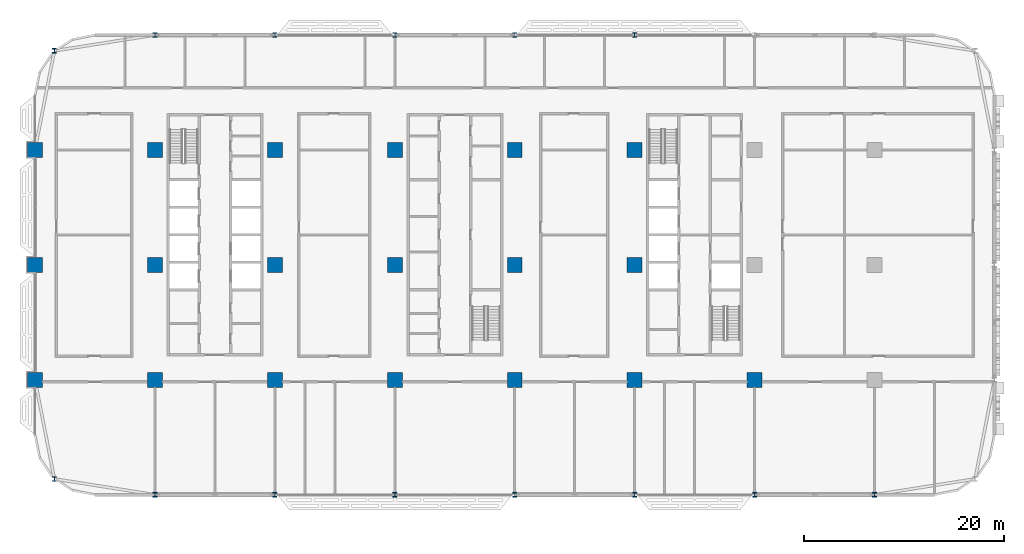
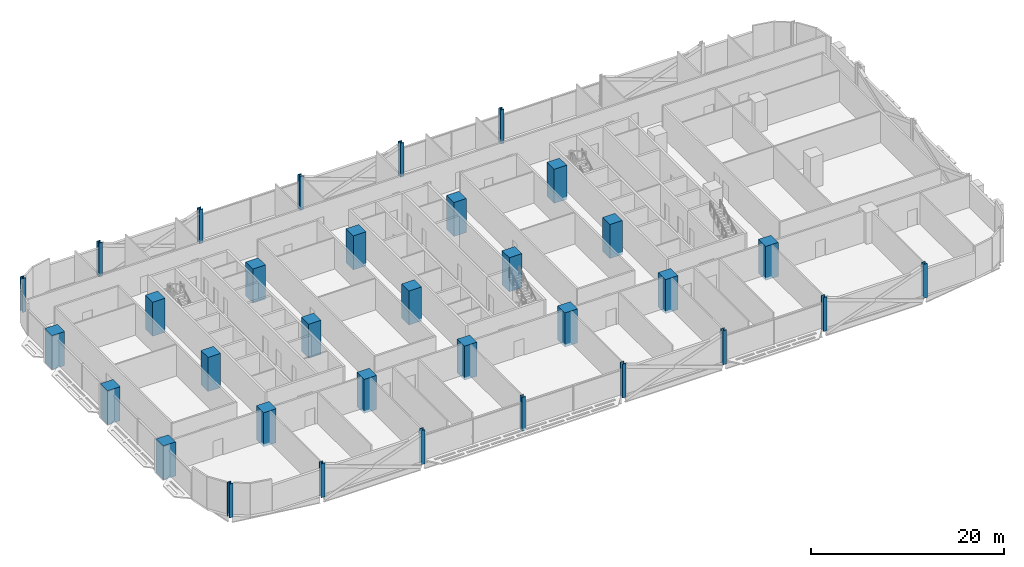
# One storey, part 1 of 30: 33 columns.
"""IFC4 building model written with IfcOpenShell, lengths in metres."""

from ifc_helpers import new_model, si_unit, direction, frame, origin, origin_2d, place, context, subcontext, project, spatial, rectangle, i_section, extrude, material, material_profile, profile_set, type_object, element, save


model = new_model("IFC4")

# Units and contexts
model_context = context("Model", 3, precision=1e-05, world=origin(), true_north=direction((0.0, 1.0)))
body_context = subcontext(model_context, "Body", "Model", "MODEL_VIEW")
ifc_project = project(units=[si_unit("LENGTHUNIT", "METRE"), si_unit("AREAUNIT", "SQUARE_METRE"), si_unit("VOLUMEUNIT", "CUBIC_METRE"), si_unit("PLANEANGLEUNIT", "RADIAN"), si_unit("MASSUNIT", "GRAM", prefix="KILO")], contexts=[model_context])

# Site, building, storey
site_placement = place(None, origin())
site = spatial("IfcSite", under=ifc_project, at=site_placement, CompositionType="ELEMENT")
building_placement = place(site_placement, origin())
building = spatial("IfcBuilding", under=site, at=building_placement, Name="Mahtab Terrace Research Tower", CompositionType="ELEMENT")
storey_placement = place(building_placement, frame((0.0, 0.0, 50.300048828125)))
storey = spatial("IfcBuildingStorey", under=building, at=storey_placement, Name="L11", CompositionType="ELEMENT", Elevation=50.300048828125)

# Columns
ifc_material_1 = material(Name="Concrete C70/85", Category="concrete")
ifc_material_profile_1 = material_profile(ifc_material_1, rectangle(XDim=1.5, YDim=1.5, at=origin_2d()), Name="RC column 1500x1500")
ifc_profile_set_1 = profile_set([ifc_material_profile_1], Name="Concrete C70/85")
column_type_1 = type_object("IfcColumnType", Name="RC column 1500x1500", PredefinedType="COLUMN", material=ifc_profile_set_1)
for number, where, z_axis, x_axis, name in (
    (1, (-42.0, -11.5, -0.340087890625), (0.0, 0.0, 1.0), (1.0, 0.0, 0.0), "Column RC-1A L11"),
    (2, (-42.0, 0.0, -0.340087890625), (0.0, 0.0, 1.0), (1.0, 0.0, 0.0), "Column RC-1B L11"),
    (3, (-42.0, 11.5, -0.340087890625), (0.0, 0.0, 1.0), (1.0, 0.0, 0.0), "Column RC-1C L11"),
    (4, (-30.0, -11.5, -0.340087890625), (0.0, 0.0, 1.0), (1.0, 0.0, 0.0), "Column RC-2A L11"),
    (5, (-30.0, 0.0, -0.340087890625), (0.0, 0.0, 1.0), (1.0, 0.0, 0.0), "Column RC-2B L11"),
    (6, (-30.0, 11.5, -0.340087890625), (0.0, 0.0, 1.0), (1.0, 0.0, 0.0), "Column RC-2C L11"),
    (7, (-18.0, -11.5, -0.340087890625), (0.0, 0.0, 1.0), (1.0, 0.0, 0.0), "Column RC-3A L11"),
    (8, (-18.0, 0.0, -0.340087890625), (0.0, 0.0, 1.0), (1.0, 0.0, 0.0), "Column RC-3B L11"),
    (9, (-18.0, 11.5, -0.340087890625), (0.0, 0.0, 1.0), (1.0, 0.0, 0.0), "Column RC-3C L11"),
    (10, (-6.0, -11.5, -0.340087890625), (0.0, 0.0, 1.0), (1.0, 0.0, 0.0), "Column RC-4A L11"),
    (11, (-6.0, 0.0, -0.340087890625), (0.0, 0.0, 1.0), (1.0, 0.0, 0.0), "Column RC-4B L11"),
    (12, (-6.0, 11.5, -0.340087890625), (0.0, 0.0, 1.0), (1.0, 0.0, 0.0), "Column RC-4C L11"),
    (13, (6.0, -11.5, -0.340087890625), (0.0, 0.0, 1.0), (1.0, 0.0, 0.0), "Column RC-5A L11"),
    (14, (6.0, 0.0, -0.340087890625), (0.0, 0.0, 1.0), (1.0, 0.0, 0.0), "Column RC-5B L11"),
    (15, (6.0, 11.5, -0.340087890625), (0.0, 0.0, 1.0), (1.0, 0.0, 0.0), "Column RC-5C L11"),
    (16, (18.0, -11.5, -0.340087890625), (0.0, 0.0, 1.0), (1.0, 0.0, 0.0), "Column RC-6A L11"),
    (17, (18.0, 0.0, -0.340087890625), (0.0, 0.0, 1.0), (1.0, 0.0, 0.0), "Column RC-6B L11"),
    (18, (18.0, 11.5, -0.340087890625), (0.0, 0.0, 1.0), (1.0, 0.0, 0.0), "Column RC-6C L11"),
    (19, (30.0, -11.5, -0.340087890625), (0.0, 0.0, 1.0), (1.0, 0.0, 0.0), "Column RC-7A L11"),
):
    element("IfcColumn", number, at=place(storey_placement, frame(where, z_axis=z_axis, x_axis=x_axis)), inside=storey, type_object=column_type_1, Name=name, PredefinedType="COLUMN", context=body_context, shape_type="SweptSolid", body=[
        extrude(rectangle(XDim=1.5, YDim=1.5, at=origin_2d()), origin(), (0.0, 0.0, 1.0), 4.300048828125),
    ])
ifc_material_2 = material(Name="Steel ASTM A992 Gr 50", Category="steel")
ifc_material_profile_2 = material_profile(ifc_material_2, i_section(OverallWidth=0.42431640625, OverallDepth=0.47509765625, WebThickness=0.0478515625, FlangeThickness=0.0771484375, at=origin_2d()), Name="W14X426")
ifc_profile_set_2 = profile_set([ifc_material_profile_2], Name="Steel ASTM A992 Gr 50")
column_type_2 = type_object("IfcColumnType", Name="W14x426 column CS14426", PredefinedType="COLUMN", material=ifc_profile_set_2)
for number, where, z_axis, x_axis, name in (
    (20, (18.0, 23.0, -0.340087890625), (0.0, 0.0, 1.0), (1.0, 0.0, 0.0), "Column SC-003 L11"),
    (21, (6.0, 23.0, -0.340087890625), (0.0, 0.0, 1.0), (1.0, 0.0, 0.0), "Column SC-004 L11"),
    (22, (-6.0, 23.0, -0.340087890625), (0.0, 0.0, 1.0), (1.0, 0.0, 0.0), "Column SC-005 L11"),
    (23, (-18.0, 23.0, -0.340087890625), (0.0, 0.0, 1.0), (1.0, 0.0, 0.0), "Column SC-006 L11"),
    (24, (-30.0, 23.0, -0.340087890625), (0.0, 0.0, 1.0), (1.0, 0.0, 0.0), "Column SC-007 L11"),
    (25, (-40.06201171875, 21.416015625, -0.340087890625), (0.0, 0.0, 1.0), (1.0, 0.0, 0.0), "Column SC-024 L11"),
    (26, (-40.06201171875, -21.416015625, -0.340087890625), (0.0, 0.0, 1.0), (1.0, 0.0, 0.0), "Column SC-025 L11"),
    (27, (-30.0, -23.0, -0.340087890625), (0.0, 0.0, 1.0), (1.0, 0.0, 0.0), "Column SC-013 L11"),
    (28, (-18.0, -23.0, -0.340087890625), (0.0, 0.0, 1.0), (1.0, 0.0, 0.0), "Column SC-014 L11"),
    (29, (-6.0, -23.0, -0.340087890625), (0.0, 0.0, 1.0), (1.0, 0.0, 0.0), "Column SC-015 L11"),
    (30, (6.0, -23.0, -0.340087890625), (0.0, 0.0, 1.0), (1.0, 0.0, 0.0), "Column SC-016 L11"),
    (31, (18.0, -23.0, -0.340087890625), (0.0, 0.0, 1.0), (1.0, 0.0, 0.0), "Column SC-017 L11"),
    (32, (30.0, -23.0, -0.340087890625), (0.0, 0.0, 1.0), (1.0, 0.0, 0.0), "Column SC-018 L11"),
    (33, (42.0, -23.0, -0.340087890625), (0.0, 0.0, 1.0), (1.0, 0.0, 0.0), "Column SC-019 L11"),
):
    element("IfcColumn", number, at=place(storey_placement, frame(where, z_axis=z_axis, x_axis=x_axis)), inside=storey, type_object=column_type_2, Name=name, PredefinedType="COLUMN", context=body_context, shape_type="SweptSolid", body=[
        extrude(i_section(OverallWidth=0.42431640625, OverallDepth=0.47509765625, WebThickness=0.0478515625, FlangeThickness=0.0771484375, at=origin_2d()), origin(), (0.0, 0.0, 1.0), 4.300048828125),
    ])

save(model, "model.ifc")
